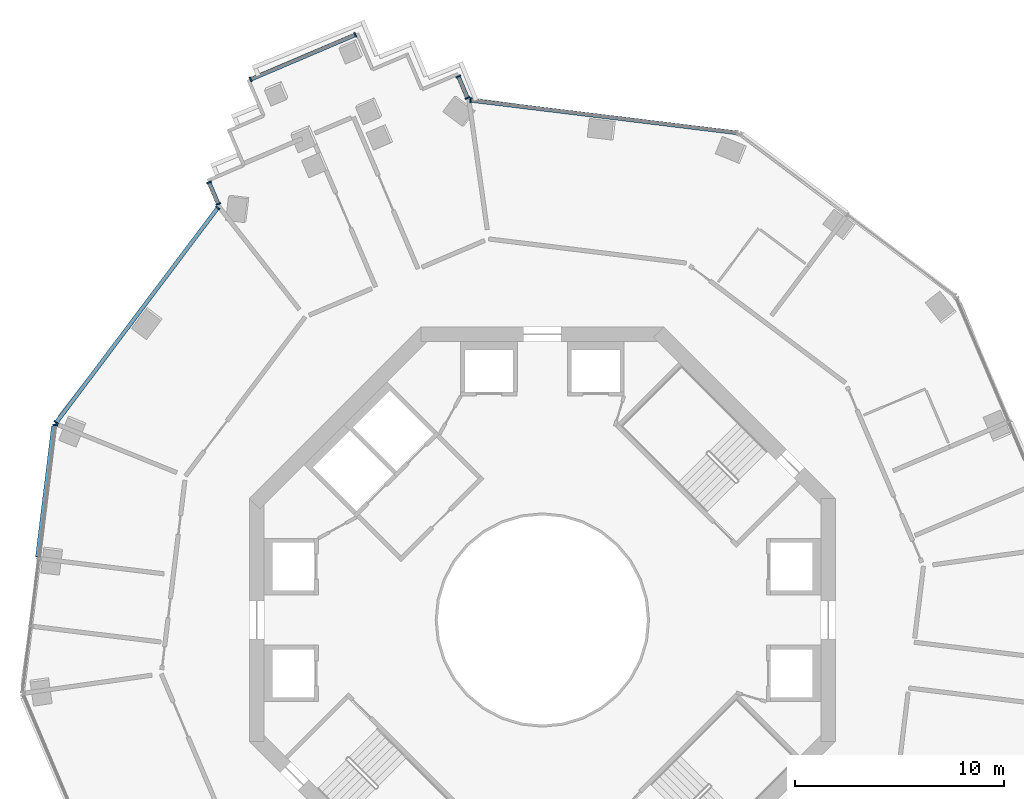
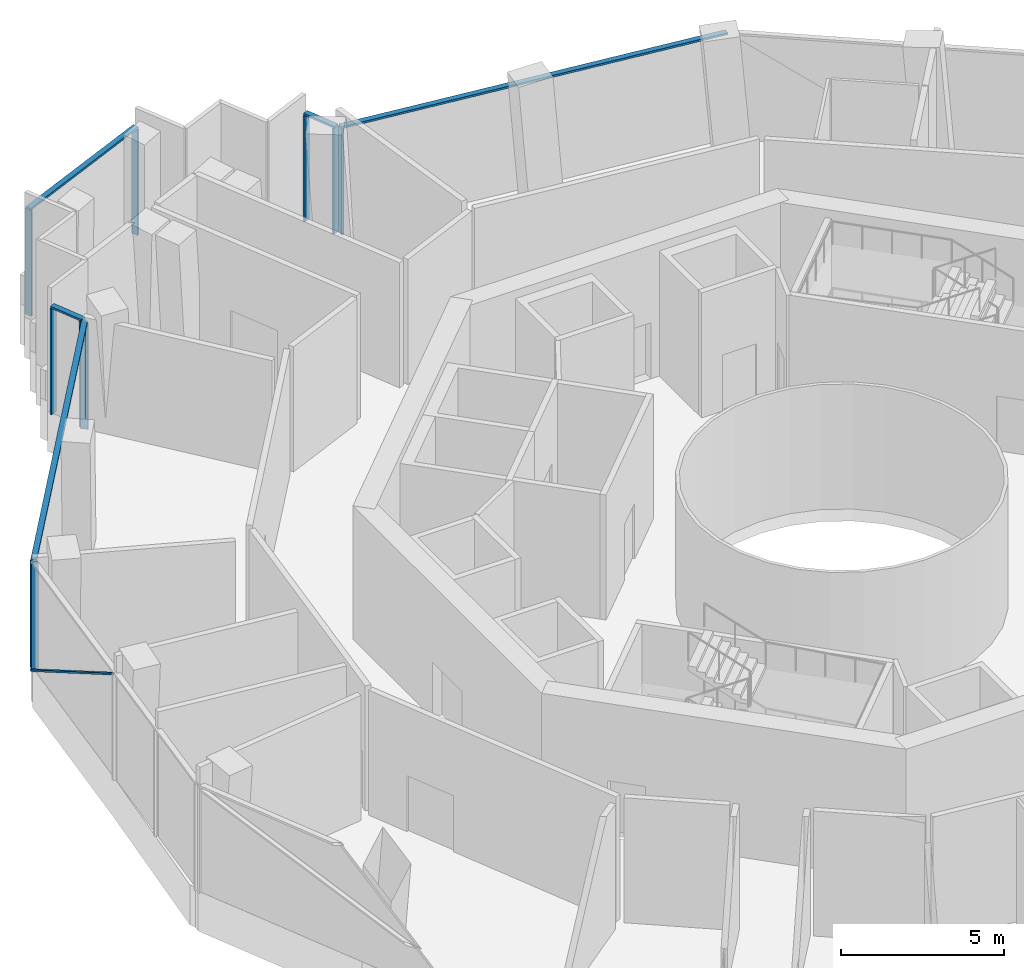
# One storey, part 4 of 17: 16 members, 6 elements without a shape of their own.
"""IFC4 building model written with IfcOpenShell, lengths in metres."""

from ifc_helpers import new_model, si_unit, direction, frame, origin, origin_2d, place, context, subcontext, project, spatial, rectangle, extrude, material, layer, layer_set, material_profile, profile_set, type_object, element, aggregate, save


model = new_model("IFC4")

# Units and contexts
model_context = context("Model", 3, precision=1e-05, world=origin(), true_north=direction((0.0, 1.0)))
body_context = subcontext(model_context, "Body", "Model", "MODEL_VIEW")
ifc_project = project(units=[si_unit("LENGTHUNIT", "METRE"), si_unit("AREAUNIT", "SQUARE_METRE"), si_unit("VOLUMEUNIT", "CUBIC_METRE"), si_unit("PLANEANGLEUNIT", "RADIAN"), si_unit("MASSUNIT", "GRAM", prefix="KILO")], contexts=[model_context])

# Site, building, storey
site_placement = place(None, origin())
site = spatial("IfcSite", under=ifc_project, at=site_placement, CompositionType="ELEMENT")
building_placement = place(site_placement, origin())
building = spatial("IfcBuilding", under=site, at=building_placement, Name="Verdalira Terraces Hotel", CompositionType="ELEMENT")
storey_placement = place(building_placement, frame((0.0, 0.0, 128.0)))
storey = spatial("IfcBuildingStorey", under=building, at=storey_placement, Name="L30", CompositionType="ELEMENT", Elevation=128.0)

# Curtain wall, members
ifc_material_1 = material(Name="Clear glass", Category="glass")
ifc_layer = layer(ifc_material_1, 0.239990234375)
ifc_layer_set = layer_set([ifc_layer], Name="CW5 curtain wall")
curtain_wall_type = type_object("IfcCurtainWallType", Name="CW5 curtain wall", PredefinedType="NOTDEFINED", material=ifc_layer_set)
curtain_wall_1_placement = place(storey_placement, origin())
curtain_wall_1 = element("IfcCurtainWall", 1, at=curtain_wall_1_placement, inside=storey, type_object=curtain_wall_type, Name="CW5 curtain wall L30 edge 0", PredefinedType="NOTDEFINED")
ifc_material_2 = material(Name="Terracotta frame", Category="masonry")
ifc_material_profile_1 = material_profile(ifc_material_2, rectangle(XDim=0.070068, YDim=0.23999, at=origin_2d()), Name="MU 70x240")
ifc_profile_set_1 = profile_set([ifc_material_profile_1], Name="Terracotta frame")
member_type_1 = type_object("IfcMemberType", Name="CW5 mullion 70x240", PredefinedType="MULLION", material=ifc_profile_set_1)
member_1_placement = place(storey_placement, frame((-3.574219, 24.935547, 0.0), z_axis=(0.0, 0.0, 1.0), x_axis=(-0.391373667, 0.920231847, 0.0)))
member_1 = element("IfcMember", 2, at=member_1_placement, type_object=member_type_1, Name="CW5 mullion", PredefinedType="MULLION", context=body_context, shape_type="SweptSolid", body=[
    extrude(rectangle(XDim=0.070068, YDim=0.23999, at=origin_2d()), origin(), (0.0, 0.0, 1.0), 3.965088),
])
member_2_placement = place(storey_placement, frame((-4.012451, 25.96582, 0.0), z_axis=(0.0, 0.0, 1.0), x_axis=(-0.391373667, 0.920231847, 0.0)))
member_2 = element("IfcMember", 3, at=member_2_placement, type_object=member_type_1, Name="CW5 mullion", PredefinedType="MULLION", context=body_context, shape_type="SweptSolid", body=[
    extrude(rectangle(XDim=0.070068, YDim=0.23999, at=origin_2d()), origin(), (0.0, 0.0, 1.0), 3.965088),
])

curtain_wall_2_placement = place(storey_placement, origin())
curtain_wall_2 = element("IfcCurtainWall", 4, at=curtain_wall_2_placement, inside=storey, type_object=curtain_wall_type, Name="CW5 curtain wall L30 edge 5", PredefinedType="NOTDEFINED")
member_3_placement = place(storey_placement, frame((-8.9375, 27.95166, 0.0), z_axis=(0.0, 0.0, 1.0), x_axis=(-0.920231847, -0.391373667, 0.0)))
member_3 = element("IfcMember", 5, at=member_3_placement, type_object=member_type_1, Name="CW5 mullion", PredefinedType="MULLION", context=body_context, shape_type="SweptSolid", body=[
    extrude(rectangle(XDim=0.070068, YDim=0.23999, at=origin_2d()), origin(), (0.0, 0.0, 1.0), 3.965088),
])
member_4_placement = place(storey_placement, frame((-13.934326, 25.82666, 0.0), z_axis=(0.0, 0.0, 1.0), x_axis=(-0.920231847, -0.391373667, 0.0)))
member_4 = element("IfcMember", 6, at=member_4_placement, type_object=member_type_1, Name="CW5 mullion", PredefinedType="MULLION", context=body_context, shape_type="SweptSolid", body=[
    extrude(rectangle(XDim=0.070068, YDim=0.23999, at=origin_2d()), origin(), (0.0, 0.0, 1.0), 3.965088),
])

curtain_wall_3_placement = place(storey_placement, origin())
curtain_wall_3 = element("IfcCurtainWall", 7, at=curtain_wall_3_placement, inside=storey, type_object=curtain_wall_type, Name="CW5 curtain wall L30 edge 10", PredefinedType="NOTDEFINED")
member_5_placement = place(storey_placement, frame((-15.920166, 20.901611, 0.0), z_axis=(0.0, 0.0, 1.0), x_axis=(0.391373667, -0.920231847, 0.0)))
member_5 = element("IfcMember", 8, at=member_5_placement, type_object=member_type_1, Name="CW5 mullion", PredefinedType="MULLION", context=body_context, shape_type="SweptSolid", body=[
    extrude(rectangle(XDim=0.070068, YDim=0.23999, at=origin_2d()), origin(), (0.0, 0.0, 1.0), 3.965088),
])
member_6_placement = place(storey_placement, frame((-15.481934, 19.871094, 0.0), z_axis=(0.0, 0.0, 1.0), x_axis=(0.391373667, -0.920231847, 0.0)))
member_6 = element("IfcMember", 9, at=member_6_placement, type_object=member_type_1, Name="CW5 mullion", PredefinedType="MULLION", context=body_context, shape_type="SweptSolid", body=[
    extrude(rectangle(XDim=0.070068, YDim=0.23999, at=origin_2d()), origin(), (0.0, 0.0, 1.0), 3.965088),
])

curtain_wall_4_placement = place(storey_placement, origin())
curtain_wall_4 = element("IfcCurtainWall", 10, at=curtain_wall_4_placement, inside=storey, type_object=curtain_wall_type, Name="CW5 curtain wall L30 edge 11", PredefinedType="NOTDEFINED")
member_7_placement = place(storey_placement, frame((-15.503906, 19.691895, 0.0), z_axis=(0.0, 0.0, 1.0), x_axis=(-0.601257324, -0.799055462, 0.0)))
member_7 = element("IfcMember", 11, at=member_7_placement, type_object=member_type_1, Name="CW5 mullion", PredefinedType="MULLION", context=body_context, shape_type="SweptSolid", body=[
    extrude(rectangle(XDim=0.070068, YDim=0.23999, at=origin_2d()), origin(), (0.0, 0.0, 1.0), 3.965088),
])
member_8_placement = place(storey_placement, frame((-23.222656, 9.433594, 0.0), z_axis=(0.0, 0.0, 1.0), x_axis=(-0.601257324, -0.799055462, 0.0)))
member_8 = element("IfcMember", 12, at=member_8_placement, type_object=member_type_1, Name="CW5 mullion", PredefinedType="MULLION", context=body_context, shape_type="SweptSolid", body=[
    extrude(rectangle(XDim=0.070068, YDim=0.23999, at=origin_2d()), origin(), (0.0, 0.0, 1.0), 3.965088),
])

# Curtain wall, member
curtain_wall_5_placement = place(storey_placement, origin())
curtain_wall_5 = element("IfcCurtainWall", 13, at=curtain_wall_5_placement, inside=storey, type_object=curtain_wall_type, Name="CW5 curtain wall L30 edge 12", PredefinedType="NOTDEFINED")
member_9_placement = place(storey_placement, frame((-23.27124, 9.313477, 0.0), z_axis=(0.0, 0.0, 1.0), x_axis=(-0.121176386, -0.992630991, 0.0)))
member_9 = element("IfcMember", 14, at=member_9_placement, type_object=member_type_1, Name="CW5 mullion", PredefinedType="MULLION", context=body_context, shape_type="SweptSolid", body=[
    extrude(rectangle(XDim=0.070068, YDim=0.23999, at=origin_2d()), origin(), (0.0, 0.0, 1.0), 3.965088),
])

curtain_wall_6_placement = place(storey_placement, origin())
curtain_wall_6 = element("IfcCurtainWall", 15, at=curtain_wall_6_placement, inside=storey, type_object=curtain_wall_type, Name="CW5 curtain wall L30 edge 41", PredefinedType="NOTDEFINED")
member_10_placement = place(storey_placement, frame((-3.429932, 24.826904, 0.0), z_axis=(0.0, 0.0, 1.0), x_axis=(-0.992630991, 0.121176386, 0.0)))
member_10 = element("IfcMember", 16, at=member_10_placement, type_object=member_type_1, Name="CW5 mullion", PredefinedType="MULLION", context=body_context, shape_type="SweptSolid", body=[
    extrude(rectangle(XDim=0.070068, YDim=0.23999, at=origin_2d()), origin(), (0.0, 0.0, 1.0), 3.965088),
])

# Member
ifc_material_3 = material(Name="Terracotta frame", Category="masonry")
ifc_material_profile_2 = material_profile(ifc_material_3, rectangle(XDim=0.189941, YDim=0.074951, at=origin_2d()), Name="TR 75x190")
ifc_profile_set_2 = profile_set([ifc_material_profile_2], Name="Terracotta frame")
member_type_2 = type_object("IfcMemberType", Name="CW5 transom 75x190", PredefinedType="USERDEFINED", material=ifc_profile_set_2)
member_11_placement = place(storey_placement, frame((-3.560547, 24.90332, 4.002441), z_axis=(-0.391366606, 0.92023485, 0.0), x_axis=(-0.92023485, -0.391366606, 0.0)))
member_11 = element("IfcMember", 17, at=member_11_placement, type_object=member_type_2, Name="CW5 transom", ObjectType="TRANSOM", PredefinedType="USERDEFINED", context=body_context, shape_type="SweptSolid", body=[
    extrude(rectangle(XDim=0.189941, YDim=0.074951, at=origin_2d()), origin(), (0.0, 0.0, 1.0), 1.189697),
])

aggregate(curtain_wall_1, [member_1, member_2, member_11])

member_12_placement = place(storey_placement, frame((-8.905273, 27.965332, 4.002441), z_axis=(-0.920245806, -0.391340844, 0.0), x_axis=(0.391340844, -0.920245806, 0.0)))
member_12 = element("IfcMember", 18, at=member_12_placement, type_object=member_type_2, Name="CW5 transom", ObjectType="TRANSOM", PredefinedType="USERDEFINED", context=body_context, shape_type="SweptSolid", body=[
    extrude(rectangle(XDim=0.189941, YDim=0.074951, at=origin_2d()), origin(), (0.0, 0.0, 1.0), 5.5),
])

aggregate(curtain_wall_2, [member_3, member_4, member_12])

member_13_placement = place(storey_placement, frame((-15.933838, 20.933838, 4.002441), z_axis=(0.391292706, -0.920266276, 0.0), x_axis=(0.920266276, 0.391292706, 0.0)))
member_13 = element("IfcMember", 19, at=member_13_placement, type_object=member_type_2, Name="CW5 transom", ObjectType="TRANSOM", PredefinedType="USERDEFINED", context=body_context, shape_type="SweptSolid", body=[
    extrude(rectangle(XDim=0.189941, YDim=0.074951, at=origin_2d()), origin(), (0.0, 0.0, 1.0), 1.189941),
])

aggregate(curtain_wall_3, [member_5, member_6, member_13])

member_14_placement = place(storey_placement, frame((-15.48291, 19.719727, 4.002441), z_axis=(-0.601264233, -0.799050262, 0.0), x_axis=(0.799050262, -0.601264233, 0.0)))
member_14 = element("IfcMember", 20, at=member_14_placement, type_object=member_type_2, Name="CW5 transom", ObjectType="TRANSOM", PredefinedType="USERDEFINED", context=body_context, shape_type="SweptSolid", body=[
    extrude(rectangle(XDim=0.189941, YDim=0.074951, at=origin_2d()), origin(), (0.0, 0.0, 1.0), 12.907715),
])

aggregate(curtain_wall_4, [member_7, member_8, member_14])

member_15_placement = place(storey_placement, frame((9.348145, 23.26709, 4.002441), z_axis=(-0.992632512, 0.121163924, 0.0), x_axis=(-0.121163924, -0.992632512, 0.0)))
member_15 = element("IfcMember", 21, at=member_15_placement, type_object=member_type_2, Name="CW5 transom", ObjectType="TRANSOM", PredefinedType="USERDEFINED", context=body_context, shape_type="SweptSolid", body=[
    extrude(rectangle(XDim=0.189941, YDim=0.074951, at=origin_2d()), origin(), (0.0, 0.0, 1.0), 12.907959),
])

aggregate(curtain_wall_6, [member_10, member_15])

ifc_material_4 = material(Name="Terracotta frame", Category="masonry")
ifc_material_profile_3 = material_profile(ifc_material_4, rectangle(XDim=0.149902, YDim=0.060059, at=origin_2d()), Name="GB 60x150")
ifc_profile_set_3 = profile_set([ifc_material_profile_3], Name="Terracotta frame")
member_type_3 = type_object("IfcMemberType", Name="Diagonal glazing bar 60x150", PredefinedType="USERDEFINED", material=ifc_profile_set_3)
member_16_placement = place(storey_placement, frame((-23.376953, 9.248291, 0.026611), z_axis=(-0.102808609, -0.842158434, 0.529338796), x_axis=(0.992630806, -0.121177902, 0.0)))
member_16 = element("IfcMember", 22, at=member_16_placement, type_object=member_type_3, Name="Diagonal glazing bar", ObjectType="GLAZING BAR", PredefinedType="USERDEFINED", context=body_context, shape_type="SweptSolid", body=[
    extrude(rectangle(XDim=0.149902, YDim=0.060059, at=origin_2d()), origin(), (0.0, 0.0, 1.0), 7.390137),
])

aggregate(curtain_wall_5, [member_9, member_16])

save(model, "model.ifc")
